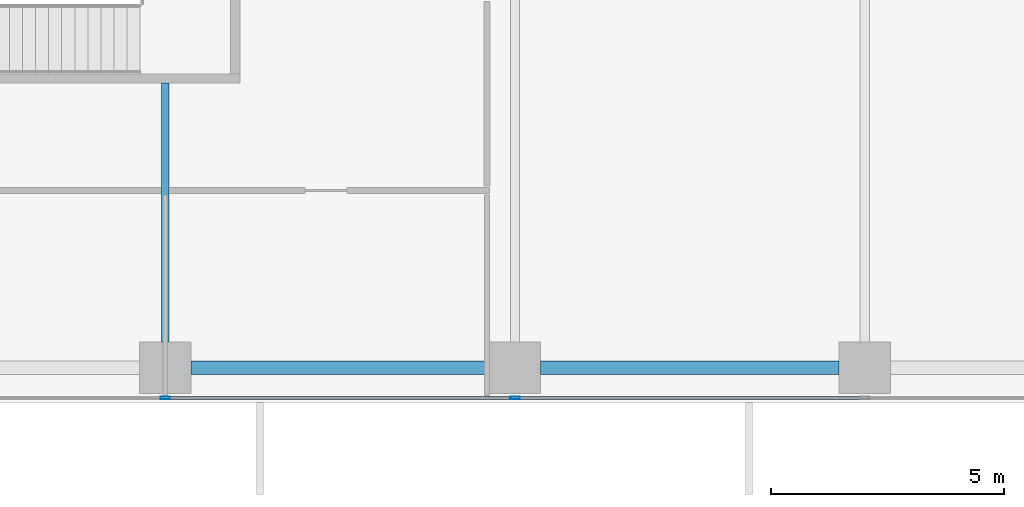
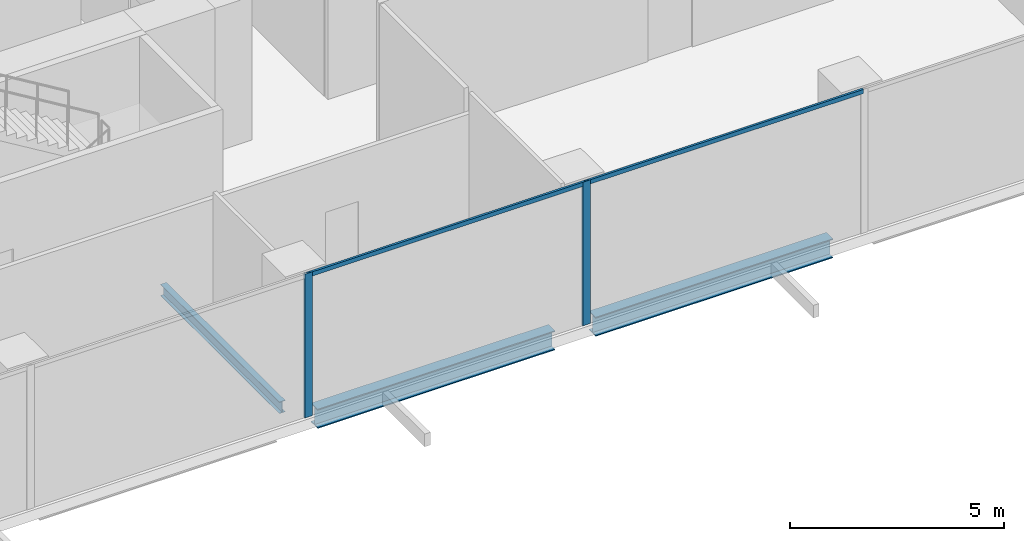
# One storey, part 5 of 34: 4 members, 3 beams, 1 element without a shape of its own.
"""IFC4 building model written with IfcOpenShell, lengths in metres."""

from ifc_helpers import new_model, si_unit, direction, frame, origin, origin_2d, place, context, subcontext, project, spatial, hollow_rectangle, i_section, extrude, source, transform, mapped, material, material_profile, profile_set, type_object, element, aggregate, save


model = new_model("IFC4")

# Units and contexts
model_context = context("Model", 3, precision=1e-05, world=origin(), true_north=direction((0.0, 1.0)))
body_context = subcontext(model_context, "Body", "Model", "MODEL_VIEW")
ifc_project = project(units=[si_unit("LENGTHUNIT", "METRE"), si_unit("AREAUNIT", "SQUARE_METRE"), si_unit("VOLUMEUNIT", "CUBIC_METRE"), si_unit("PLANEANGLEUNIT", "RADIAN"), si_unit("MASSUNIT", "GRAM", prefix="KILO")], contexts=[model_context])

# Site, building, storey
site_placement = place(None, origin())
site = spatial("IfcSite", under=ifc_project, at=site_placement, CompositionType="ELEMENT")
building_placement = place(site_placement, origin())
building = spatial("IfcBuilding", under=site, at=building_placement, Name="Khomas Fold Tower", CompositionType="ELEMENT")
storey_placement = place(building_placement, frame((0.0, 0.0, 123.5)))
storey = spatial("IfcBuildingStorey", under=building, at=storey_placement, Name="L26", CompositionType="ELEMENT", Elevation=123.5)

# Beams
ifc_material_1 = material(Name="Steel S355", Category="steel")
ifc_material_profile_1 = material_profile(ifc_material_1, i_section(OverallWidth=0.300048828125, OverallDepth=0.550048828125, WebThickness=0.014892578125, FlangeThickness=0.029052734375, at=origin_2d()), Name="HE 550 B")
ifc_profile_set_1 = profile_set([ifc_material_profile_1], Name="Steel S355")
beam_type_1 = type_object("IfcBeamType", Name="HE 550 B spandrel SB2", PredefinedType="SPANDREL", material=ifc_profile_set_1)
shared_shape_1 = source(origin(), body_context, "Body", "SweptSolid", [
    extrude(i_section(OverallWidth=0.300048828125, OverallDepth=0.550048828125, WebThickness=0.014892578125, FlangeThickness=0.029052734375, at=origin_2d()), origin(), (0.0, 0.0, 1.0), 6.39990234375),
])
for number, where, z_axis, x_axis, name in (
    (1, (20.050048828125, 2.25, -0.574951171875), (1.0, 0.0, 0.0), (0.0, 1.0, 0.0), "SB2"),
    (2, (27.550048828125, 2.25, -0.574951171875), (1.0, 0.0, 0.0), (0.0, 1.0, 0.0), "SB2"),
):
    element("IfcBeam", number, at=place(storey_placement, frame(where, z_axis=z_axis, x_axis=x_axis)), inside=storey, type_object=beam_type_1, Name=name, PredefinedType="SPANDREL", context=body_context, shape_type="MappedRepresentation", body=[
        mapped(shared_shape_1, transform((0.0, 0.0, 0.0))),
    ])
ifc_material_2 = material(Name="Steel S355", Category="steel")
ifc_material_profile_2 = material_profile(ifc_material_2, i_section(OverallWidth=0.159912109375, OverallDepth=0.330078125, WebThickness=0.007568359375, FlangeThickness=0.011474609375, at=origin_2d()), Name="IPE 330")
ifc_profile_set_2 = profile_set([ifc_material_profile_2], Name="Steel S355")
beam_type_2 = type_object("IfcBeamType", Name="IPE 330 beam JB1", PredefinedType="BEAM", material=ifc_profile_set_2)
shared_shape_2 = source(origin(), body_context, "Body", "SweptSolid", [
    extrude(i_section(OverallWidth=0.159912109375, OverallDepth=0.330078125, WebThickness=0.007568359375, FlangeThickness=0.011474609375, at=origin_2d()), origin(), (0.0, 0.0, 1.0), 5.550048828125),
])
beam_placement = place(storey_placement, frame((19.5, 2.800048828125, -0.465087890625), z_axis=(0.0, 1.0, 0.0), x_axis=(-1.0, 0.0, 0.0)))
element("IfcBeam", 3, at=beam_placement, inside=storey, type_object=beam_type_2, Name="JB1", PredefinedType="BEAM", context=body_context, shape_type="MappedRepresentation", body=[
    mapped(shared_shape_2, transform((0.0, 0.0, 0.0))),
])

# Curtain wall, members
ifc_material_3 = material(Name="Aluminium framed double glazing", Category="aluminium")
curtain_wall_type = type_object("IfcCurtainWallType", Name="SK-Unitised clear-glass wall, growing floors CW1", PredefinedType="NOTDEFINED", material=ifc_material_3)
curtain_wall_placement = place(storey_placement, origin())
curtain_wall = element("IfcCurtainWall", 4, at=curtain_wall_placement, inside=storey, type_object=curtain_wall_type, Name="CW1 run L26 00-0", PredefinedType="NOTDEFINED")
ifc_material_4 = material(Name="Aluminium", Category="aluminium")
ifc_material_profile_3 = material_profile(ifc_material_4, hollow_rectangle(XDim=0.06005859375, YDim=0.1201171875, WallThickness=0.00390625, at=origin_2d()), Name="SK-Unitised clear-glass wall, growing floors transom CW1-T")
ifc_profile_set_3 = profile_set([ifc_material_profile_3], Name="Aluminium")
member_type_1 = type_object("IfcMemberType", Name="SK-Unitised clear-glass wall, growing floors transom CW1-T", PredefinedType="USERDEFINED", material=ifc_profile_set_3)
shared_shape_3 = source(origin(), body_context, "Body", "SweptSolid", [
    extrude(hollow_rectangle(XDim=0.06005859375, YDim=0.1201171875, WallThickness=0.00390625, at=origin_2d()), origin(), (0.0, 0.0, 1.0), 7.43994140625),
])
member_1_placement = place(storey_placement, frame((19.530029296875, 1.60009765625, 4.0400390625), z_axis=(1.0, 0.0, 0.0), x_axis=(0.0, 1.0, 0.0)))
member_1 = element("IfcMember", 5, at=member_1_placement, type_object=member_type_1, Name="CW1 transom 4", ObjectType="TRANSOM", PredefinedType="USERDEFINED", context=body_context, shape_type="MappedRepresentation", body=[
    mapped(shared_shape_3, transform((0.0, 0.0, 0.0))),
])
member_2_placement = place(storey_placement, frame((27.030029296875, 1.60009765625, 4.0400390625), z_axis=(1.0, 0.0, 0.0), x_axis=(0.0, 1.0, 0.0)))
member_2 = element("IfcMember", 6, at=member_2_placement, type_object=member_type_1, Name="CW1 transom 5", ObjectType="TRANSOM", PredefinedType="USERDEFINED", context=body_context, shape_type="MappedRepresentation", body=[
    mapped(shared_shape_3, transform((0.0, 0.0, 0.0))),
])
ifc_material_5 = material(Name="Aluminium", Category="aluminium")
ifc_material_profile_4 = material_profile(ifc_material_5, hollow_rectangle(XDim=0.06005859375, YDim=0.199951171875, WallThickness=0.00390625, at=origin_2d()), Name="SK-Unitised clear-glass wall, growing floors mullion CW1-M")
ifc_profile_set_4 = profile_set([ifc_material_profile_4], Name="Aluminium")
member_type_2 = type_object("IfcMemberType", Name="SK-Unitised clear-glass wall, growing floors mullion CW1-M", PredefinedType="MULLION", material=ifc_profile_set_4)
shared_shape_4 = source(origin(), body_context, "Body", "SweptSolid", [
    extrude(hollow_rectangle(XDim=0.06005859375, YDim=0.199951171875, WallThickness=0.00390625, at=origin_2d()), origin(), (0.0, 0.0, 1.0), 4.10009765625),
])
member_3_placement = place(storey_placement, frame((19.5, 1.60009765625, 0.0), z_axis=(0.0, 0.0, 1.0), x_axis=(0.0, 1.0, 0.0)))
member_3 = element("IfcMember", 7, at=member_3_placement, type_object=member_type_2, Name="CW1 mullion 4", PredefinedType="MULLION", context=body_context, shape_type="MappedRepresentation", body=[
    mapped(shared_shape_4, transform((0.0, 0.0, 0.0))),
])
member_4_placement = place(storey_placement, frame((27.0, 1.60009765625, 0.0), z_axis=(0.0, 0.0, 1.0), x_axis=(0.0, 1.0, 0.0)))
member_4 = element("IfcMember", 8, at=member_4_placement, type_object=member_type_2, Name="CW1 mullion 5", PredefinedType="MULLION", context=body_context, shape_type="MappedRepresentation", body=[
    mapped(shared_shape_4, transform((0.0, 0.0, 0.0))),
])
aggregate(curtain_wall, [member_3, member_4, member_1, member_2])

save(model, "model.ifc")
